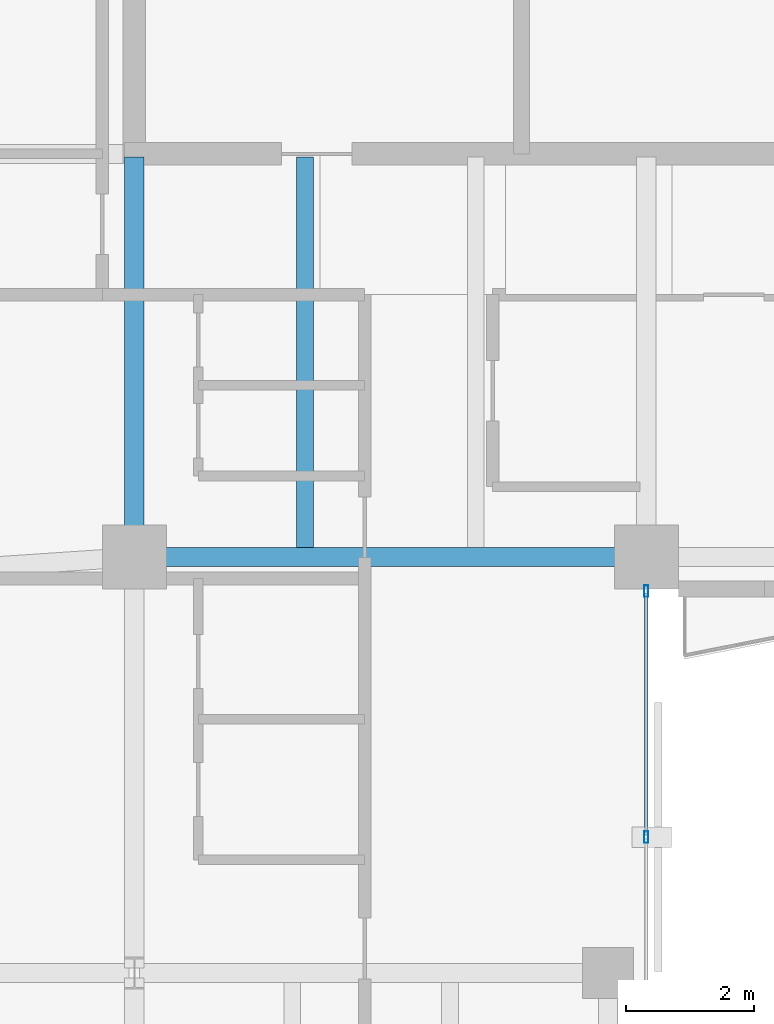
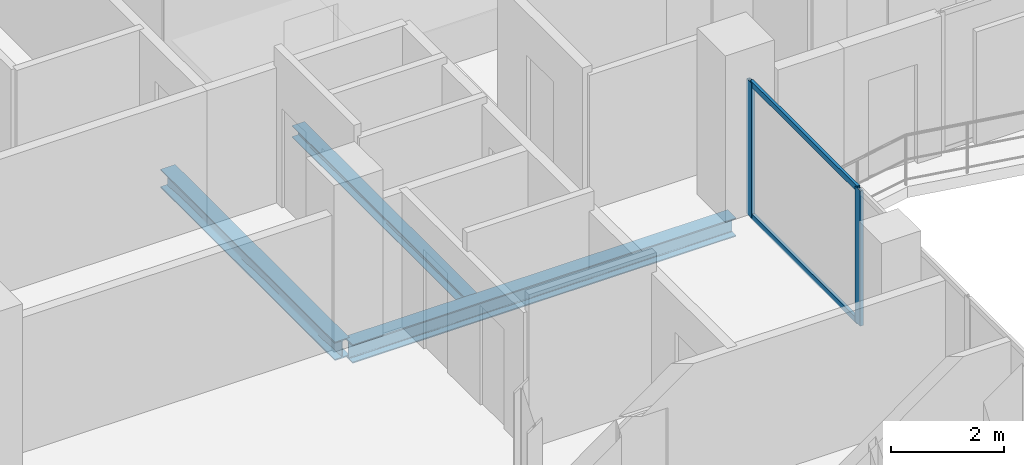
# One storey, part 10 of 23: 4 members, 3 beams, 1 element without a shape of its own.
"""IFC4 building model written with IfcOpenShell, lengths in metres."""

from ifc_helpers import new_model, si_unit, direction, frame, origin, origin_2d, place, context, subcontext, project, spatial, hollow_rectangle, i_section, extrude, material, layer, layer_set, material_profile, profile_set, type_object, element, aggregate, save


model = new_model("IFC4")

# Units and contexts
model_context = context("Model", 3, precision=1e-05, world=origin(), true_north=direction((0.0, 1.0)))
body_context = subcontext(model_context, "Body", "Model", "MODEL_VIEW")
ifc_project = project(units=[si_unit("LENGTHUNIT", "METRE"), si_unit("AREAUNIT", "SQUARE_METRE"), si_unit("VOLUMEUNIT", "CUBIC_METRE"), si_unit("PLANEANGLEUNIT", "RADIAN"), si_unit("MASSUNIT", "GRAM", prefix="KILO")], contexts=[model_context])

# Site, building, storey
site_placement = place(None, origin())
site = spatial("IfcSite", under=ifc_project, at=site_placement, CompositionType="ELEMENT")
building_placement = place(site_placement, origin())
building = spatial("IfcBuilding", under=site, at=building_placement, Name="Catumbela Crestline Tower", CompositionType="ELEMENT")
storey_placement = place(building_placement, frame((0.0, 0.0, 175.8)))
storey = spatial("IfcBuildingStorey", under=building, at=storey_placement, Name="L45", CompositionType="ELEMENT", Elevation=175.8)

# Beams
ifc_material_1 = material(Name="Structural steel S355J2", Category="steel")
ifc_material_profile_1 = material_profile(ifc_material_1, i_section(OverallWidth=0.3, OverallDepth=0.4, WebThickness=0.0135, FlangeThickness=0.024, FilletRadius=0.027, at=origin_2d()), Name="HEB 400")
ifc_profile_set_1 = profile_set([ifc_material_profile_1], Name="Structural steel S355J2")
beam_type_1 = type_object("IfcBeamType", Name="BG-HEB400", PredefinedType="BEAM", material=ifc_profile_set_1)
beam_1_placement = place(storey_placement, frame((16.08, 24.5, -0.46), z_axis=(1.0, 0.0, 0.0), x_axis=(0.0, 1.0, 0.0)))
element("IfcBeam", 1, at=beam_1_placement, inside=storey, type_object=beam_type_1, Name="L45 Beam BM-L45-S03", PredefinedType="BEAM", context=body_context, shape_type="SweptSolid", body=[
    extrude(i_section(OverallWidth=0.3, OverallDepth=0.4, WebThickness=0.0135, FlangeThickness=0.024, FilletRadius=0.027, at=origin_2d()), origin(), (0.0, 0.0, 1.0), 7.84),
])
beam_2_placement = place(storey_placement, frame((16.0, 24.58, -0.46), z_axis=(0.0, 1.0, 0.0), x_axis=(-1.0, 0.0, 0.0)))
element("IfcBeam", 2, at=beam_2_placement, inside=storey, type_object=beam_type_1, Name="L45 Beam BM-L45-SNS17", PredefinedType="BEAM", context=body_context, shape_type="SweptSolid", body=[
    extrude(i_section(OverallWidth=0.3, OverallDepth=0.4, WebThickness=0.0135, FlangeThickness=0.024, FilletRadius=0.027, at=origin_2d()), origin(), (0.0, 0.0, 1.0), 6.17),
])
ifc_material_profile_2 = material_profile(ifc_material_1, i_section(OverallWidth=0.26, OverallDepth=0.25, WebThickness=0.0075, FlangeThickness=0.0125, FilletRadius=0.024, at=origin_2d()), Name="HEA 260")
ifc_profile_set_2 = profile_set([ifc_material_profile_2], Name="Structural steel S355J2")
beam_type_2 = type_object("IfcBeamType", Name="BJ-HEA260", PredefinedType="JOIST", material=ifc_profile_set_2)
beam_3_placement = place(storey_placement, frame((18.667, 24.647, -0.385), z_axis=(0.0, 1.0, 0.0), x_axis=(-1.0, 0.0, 0.0)))
element("IfcBeam", 3, at=beam_3_placement, inside=storey, type_object=beam_type_2, Name="L45 Joist JS-L45-SP26", PredefinedType="JOIST", context=body_context, shape_type="SweptSolid", body=[
    extrude(i_section(OverallWidth=0.26, OverallDepth=0.25, WebThickness=0.0075, FlangeThickness=0.0125, FilletRadius=0.024, at=origin_2d()), origin(), (0.0, 0.0, 1.0), 6.103),
])

# Curtain wall, members
ifc_material_2 = material(Name="Aluminium alloy AW-6060-T66", Category="aluminium")
ifc_layer = layer(ifc_material_2, 0.18, Name="Aluminium alloy AW-6060-T66")
ifc_layer_set = layer_set([ifc_layer], Name="Aluminium alloy AW-6060-T66")
curtain_wall_type = type_object("IfcCurtainWallType", Name="CWU-Z3", PredefinedType="USERDEFINED", material=ifc_layer_set)
curtain_wall_placement = place(storey_placement, origin())
curtain_wall = element("IfcCurtainWall", 4, at=curtain_wall_placement, inside=storey, type_object=curtain_wall_type, Name="L45 Unitised Curtain Wall CW-L45-E2S1", ObjectType="UNITISED", PredefinedType="USERDEFINED")
ifc_material_profile_3 = material_profile(ifc_material_2, hollow_rectangle(XDim=0.065, YDim=0.18, WallThickness=0.004, at=origin_2d()), Name="ALU 180x65x4")
ifc_profile_set_3 = profile_set([ifc_material_profile_3], Name="Aluminium alloy AW-6060-T66")
member_type_1 = type_object("IfcMemberType", Name="MUL-180X65", PredefinedType="MULLION", material=ifc_profile_set_3)
member_1_placement = place(storey_placement, frame((24.0, 20.125, 0.0), z_axis=(0.0, 0.0, 1.0), x_axis=(-1.0, 0.0, 0.0)))
member_1 = element("IfcMember", 5, at=member_1_placement, type_object=member_type_1, Name="CWU-Z3 mullion 4", PredefinedType="MULLION", context=body_context, shape_type="SweptSolid", body=[
    extrude(hollow_rectangle(XDim=0.065, YDim=0.18, WallThickness=0.004, at=origin_2d()), origin(), (0.0, 0.0, 1.0), 2.92),
])
member_2_placement = place(storey_placement, frame((24.0, 23.9675, 0.0), z_axis=(0.0, 0.0, 1.0), x_axis=(-1.0, 0.0, 0.0)))
member_2 = element("IfcMember", 6, at=member_2_placement, type_object=member_type_1, Name="CWU-Z3 mullion 5", PredefinedType="MULLION", context=body_context, shape_type="SweptSolid", body=[
    extrude(hollow_rectangle(XDim=0.065, YDim=0.18, WallThickness=0.004, at=origin_2d()), origin(), (0.0, 0.0, 1.0), 2.92),
])
ifc_material_profile_4 = material_profile(ifc_material_2, hollow_rectangle(XDim=0.06, YDim=0.12, WallThickness=0.0035, at=origin_2d()), Name="ALU 120x60x3.5")
ifc_profile_set_4 = profile_set([ifc_material_profile_4], Name="Aluminium alloy AW-6060-T66")
member_type_2 = type_object("IfcMemberType", Name="TRN-120X60", PredefinedType="USERDEFINED", material=ifc_profile_set_4)
member_3_placement = place(storey_placement, frame((24.0, 20.1575, 0.03), z_axis=(0.0, 1.0, 0.0), x_axis=(-1.0, 0.0, 0.0)))
member_3 = element("IfcMember", 7, at=member_3_placement, type_object=member_type_2, Name="CWU-Z3 transom 4.1", ObjectType="TRANSOM", PredefinedType="USERDEFINED", context=body_context, shape_type="SweptSolid", body=[
    extrude(hollow_rectangle(XDim=0.06, YDim=0.12, WallThickness=0.0035, at=origin_2d()), origin(), (0.0, 0.0, 1.0), 3.7775),
])
member_4_placement = place(storey_placement, frame((24.0, 20.1575, 2.89), z_axis=(0.0, 1.0, 0.0), x_axis=(-1.0, 0.0, 0.0)))
member_4 = element("IfcMember", 8, at=member_4_placement, type_object=member_type_2, Name="CWU-Z3 transom 4.2", ObjectType="TRANSOM", PredefinedType="USERDEFINED", context=body_context, shape_type="SweptSolid", body=[
    extrude(hollow_rectangle(XDim=0.06, YDim=0.12, WallThickness=0.0035, at=origin_2d()), origin(), (0.0, 0.0, 1.0), 3.7775),
])
aggregate(curtain_wall, [member_1, member_2, member_3, member_4])

save(model, "model.ifc")
